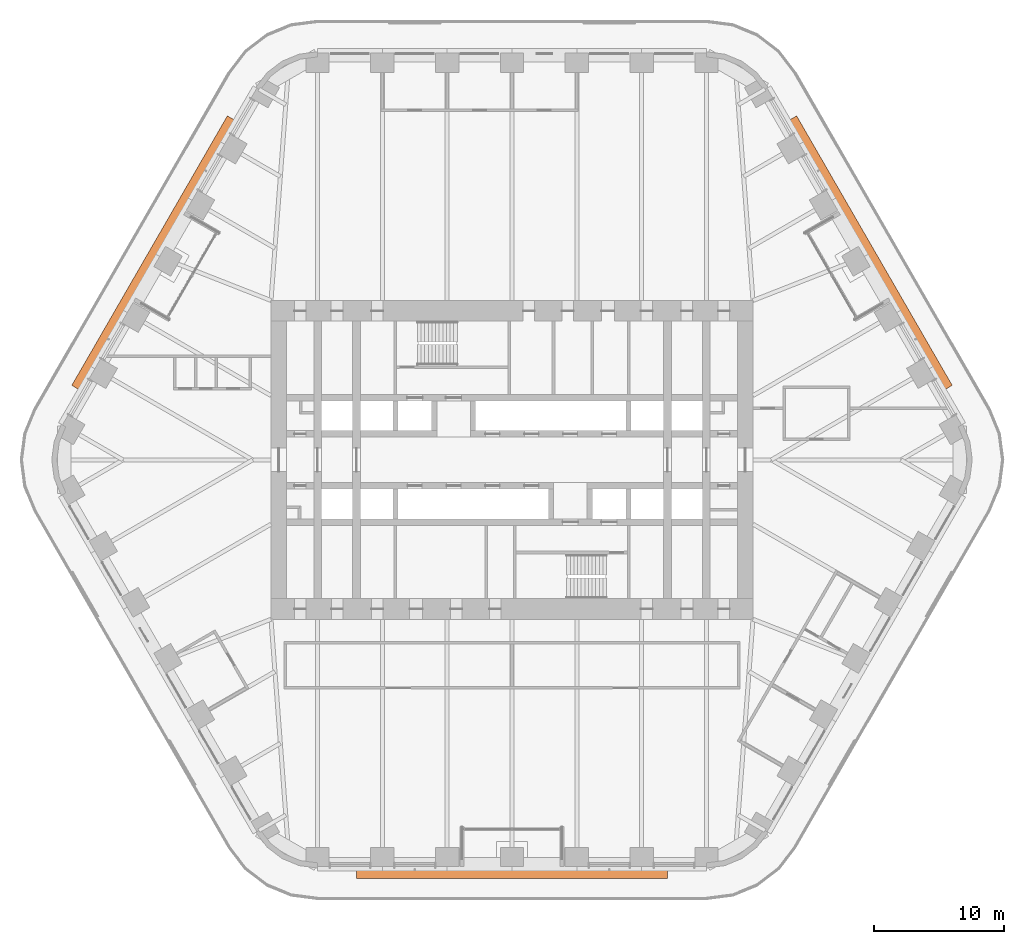
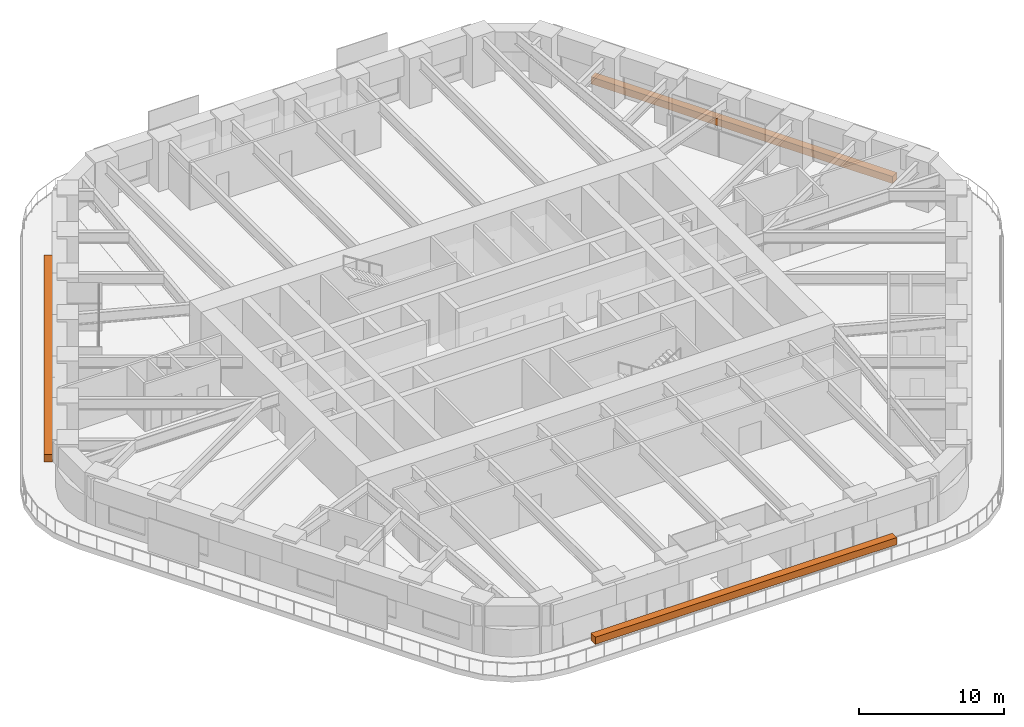
# One storey, part 24 of 24: 3 proxies.
"""IFC4 building model written with IfcOpenShell, lengths in metres."""

from ifc_helpers import new_model, si_unit, direction, frame, origin, origin_2d, place, context, subcontext, project, spatial, rectangle, extrude, material, element, save


model = new_model("IFC4")

# Units and contexts
model_context = context("Model", 3, precision=1e-05, world=origin(), true_north=direction((0.0, 1.0)))
body_context = subcontext(model_context, "Body", "Model", "MODEL_VIEW")
ifc_project = project(units=[si_unit("LENGTHUNIT", "METRE"), si_unit("AREAUNIT", "SQUARE_METRE"), si_unit("VOLUMEUNIT", "CUBIC_METRE"), si_unit("PLANEANGLEUNIT", "RADIAN"), si_unit("MASSUNIT", "GRAM", prefix="KILO")], contexts=[model_context])

# Site, building, storey
site_placement = place(None, origin())
site = spatial("IfcSite", under=ifc_project, at=site_placement, CompositionType="ELEMENT")
building_placement = place(site_placement, origin())
building = spatial("IfcBuilding", under=site, at=building_placement, Name="Tarfa Lantern Tower", CompositionType="ELEMENT")
storey_placement = place(building_placement, frame((0.0, 0.0, 132.10009765625)))
storey = spatial("IfcBuildingStorey", under=building, at=storey_placement, Name="L29", CompositionType="ELEMENT", Elevation=132.10009765625)

# Proxies
ifc_material = material(Name="Planting bed")
for number, where, z_axis, x_axis, name in (
    (1, (27.712890625, 16.0, -0.000244140625), (0.0, 0.0, 1.0), (-0.5, 0.866025403784, 0.0), "Balcony planter"),
    (2, (-27.712890625, 16.0, -0.000244140625), (0.0, 0.0, 1.0), (-0.5, -0.866025403784, 0.0), "Balcony planter"),
    (3, (0.0, -32.0, -0.000244140625), (0.0, 0.0, 1.0), (1.0, 0.0, 0.0), "Balcony planter"),
):
    element("IfcBuildingElementProxy", number, at=place(storey_placement, frame(where, z_axis=z_axis, x_axis=x_axis)), inside=storey, material=ifc_material, Name=name, ObjectType="PLANTER", PredefinedType="USERDEFINED", context=body_context, shape_type="SweptSolid", body=[
        extrude(rectangle(XDim=24.017822265625, YDim=0.60009765625, at=origin_2d()), origin(), (0.0, 0.0, 1.0), 0.60009765625),
    ])

save(model, "model.ifc")
